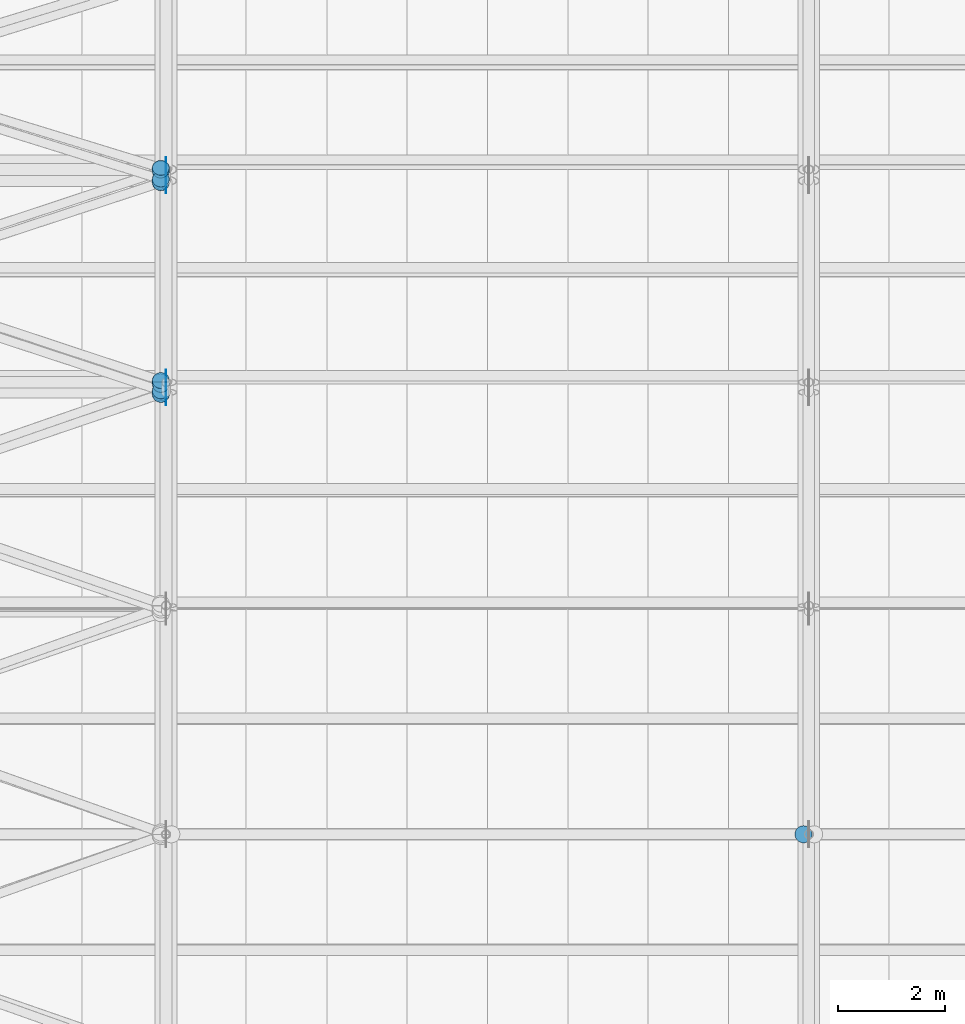
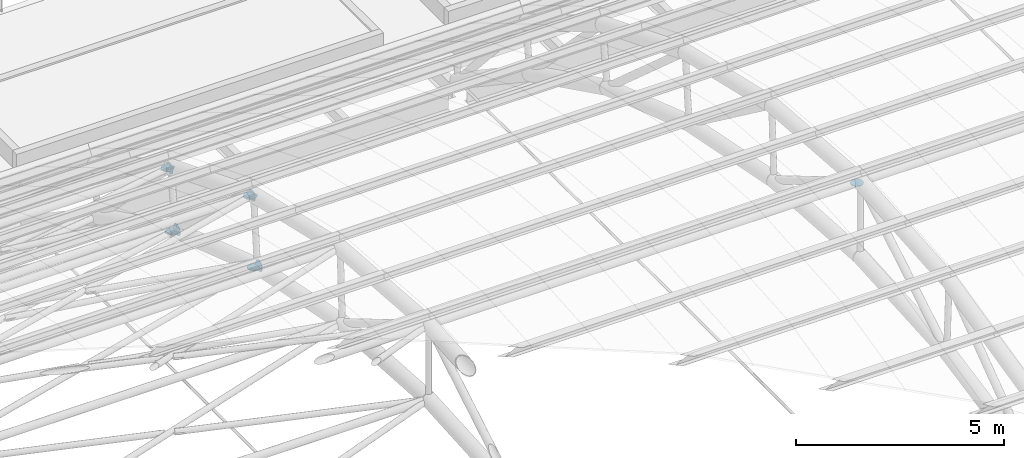
# One storey, part 90 of 110: 17 discrete accessories.
"""IFC4 building model written with IfcOpenShell, lengths in metres."""

from ifc_helpers import new_model, si_unit, direction, frame, origin, origin_2d, place, context, subcontext, project, spatial, circle, extrude, material, layer, layer_set, type_object, element, save


model = new_model("IFC4")

# Units and contexts
model_context = context("Model", 3, precision=1e-05, world=origin(), true_north=direction((0.0, 1.0)))
body_context = subcontext(model_context, "Body", "Model", "MODEL_VIEW")
ifc_project = project(units=[si_unit("LENGTHUNIT", "METRE"), si_unit("AREAUNIT", "SQUARE_METRE"), si_unit("VOLUMEUNIT", "CUBIC_METRE"), si_unit("PLANEANGLEUNIT", "RADIAN"), si_unit("MASSUNIT", "GRAM", prefix="KILO")], contexts=[model_context])

# Site, building, storey
site_placement = place(None, origin())
site = spatial("IfcSite", under=ifc_project, at=site_placement, CompositionType="ELEMENT")
building_placement = place(site_placement, origin())
building = spatial("IfcBuilding", under=site, at=building_placement, Name="Windward Yard Aquatics Centre", CompositionType="ELEMENT")
storey_placement = place(building_placement, frame((0.0, 0.0, 22.60009765625)))
storey = spatial("IfcBuildingStorey", under=building, at=storey_placement, Name="L05", CompositionType="ELEMENT", Elevation=22.60009765625)

# Discrete accessories
ifc_material = material(Name="Steel S355", Category="steel")
ifc_layer = layer(ifc_material, 0.011962890625)
ifc_layer_set = layer_set([ifc_layer], Name="Gusset plate 320 mm disc 12 mm")
discrete_accessory_type = type_object("IfcDiscreteAccessoryType", Name="Gusset plate 320 mm disc 12 mm", PredefinedType="USERDEFINED", material=ifc_layer_set)
for number, where, z_axis, x_axis, name in (
    (1, (71.993896484375, 69.16943359375, 5.568603515625), (1.0, 0.0, 0.0), (0.0, 1.0, 0.0), "Gusset plate"),
    (2, (71.993896484375, 69.51220703125, 7.4306640625), (1.0, 0.0, 0.0), (0.0, 1.0, 0.0), "Gusset plate"),
    (3, (71.993896484375, 73.122314453125, 4.23291015625), (1.0, 0.0, 0.0), (0.0, 1.0, 0.0), "Gusset plate"),
    (4, (71.993896484375, 73.479736328125, 5.8291015625), (1.0, 0.0, 0.0), (0.0, 1.0, 0.0), "Gusset plate"),
    (5, (71.89990234375, 69.4375, 7.49072265625), (0.0, 0.0, 1.0), (1.0, 0.0, 0.0), "Gusset plate"),
):
    element("IfcDiscreteAccessory", number, at=place(storey_placement, frame(where, z_axis=z_axis, x_axis=x_axis)), inside=storey, type_object=discrete_accessory_type, Name=name, ObjectType="GUSSET PLATE", PredefinedType="USERDEFINED", context=body_context, shape_type="SweptSolid", body=[
        extrude(circle(Radius=0.159912109375, at=origin_2d()), origin(), (0.0, 0.0, 1.0), 0.01220703125),
    ])
for number, where, z_axis, x_axis, name in (
    (6, (71.89990234375, 73.40966796875, 5.89453125), (0.0, 0.0, 1.0), (1.0, 0.0, 0.0), "Gusset plate"),
    (7, (71.90576171875, 69.406005859375, 7.51025390625), (0.0, -0.223376156329, -0.974732318528), (1.0, 0.0, 0.0), "Gusset plate"),
):
    element("IfcDiscreteAccessory", number, at=place(storey_placement, frame(where, z_axis=z_axis, x_axis=x_axis)), inside=storey, type_object=discrete_accessory_type, Name=name, ObjectType="GUSSET PLATE", PredefinedType="USERDEFINED", context=body_context, shape_type="SweptSolid", body=[
        extrude(circle(Radius=0.159912109375, at=origin_2d()), origin(), (0.0, 0.0, 1.0), 0.011962890625),
    ])
discrete_accessory_1_placement = place(storey_placement, frame((71.90576171875, 73.380615234375, 5.91845703125), z_axis=(0.0, -0.371390676354, -0.928476690885), x_axis=(1.0, 0.0, 0.0)))
element("IfcDiscreteAccessory", 8, at=discrete_accessory_1_placement, inside=storey, type_object=discrete_accessory_type, Name="Gusset plate", ObjectType="GUSSET PLATE", PredefinedType="USERDEFINED", context=body_context, shape_type="SweptSolid", body=[
    extrude(circle(Radius=0.159912109375, at=origin_2d()), origin(), (0.0, 0.0, 1.0), 0.01171875),
])
discrete_accessory_2_placement = place(storey_placement, frame((71.90576171875, 69.470947265625, 7.489990234375), z_axis=(0.0, -0.38176015442, -0.92426142649), x_axis=(1.0, 0.0, 0.0)))
element("IfcDiscreteAccessory", 9, at=discrete_accessory_2_placement, inside=storey, type_object=discrete_accessory_type, Name="Gusset plate", ObjectType="GUSSET PLATE", PredefinedType="USERDEFINED", context=body_context, shape_type="SweptSolid", body=[
    extrude(circle(Radius=0.159912109375, at=origin_2d()), origin(), (0.0, 0.0, 1.0), 0.01220703125),
])
for number, where, z_axis, x_axis, name in (
    (10, (71.90576171875, 73.441650390625, 5.888427734375), (0.0, -0.511483859768, -0.85929288441), (1.0, 0.0, 0.0), "Gusset plate"),
    (11, (71.89990234375, 69.249755859375, 5.5029296875), (0.0, 0.0, 1.0), (1.0, 0.0, 0.0), "Gusset plate"),
):
    element("IfcDiscreteAccessory", number, at=place(storey_placement, frame(where, z_axis=z_axis, x_axis=x_axis)), inside=storey, type_object=discrete_accessory_type, Name=name, ObjectType="GUSSET PLATE", PredefinedType="USERDEFINED", context=body_context, shape_type="SweptSolid", body=[
        extrude(circle(Radius=0.159912109375, at=origin_2d()), origin(), (0.0, 0.0, 1.0), 0.011962890625),
    ])
for number, where, z_axis, x_axis, name in (
    (12, (71.89990234375, 73.197265625, 4.160400390625), (0.0, 0.0, 1.0), (1.0, 0.0, 0.0), "Gusset plate"),
    (13, (71.905517578125, 69.21875, 5.521240234375), (0.0, -0.199960011996, -0.97980405878), (1.0, 0.0, 0.0), "Gusset plate"),
):
    element("IfcDiscreteAccessory", number, at=place(storey_placement, frame(where, z_axis=z_axis, x_axis=x_axis)), inside=storey, type_object=discrete_accessory_type, Name=name, ObjectType="GUSSET PLATE", PredefinedType="USERDEFINED", context=body_context, shape_type="SweptSolid", body=[
        extrude(circle(Radius=0.159912109375, at=origin_2d()), origin(), (0.0, 0.0, 1.0), 0.01220703125),
    ])
for number, where, z_axis, x_axis, name in (
    (14, (71.905517578125, 73.16796875, 4.182861328125), (0.0, -0.304040173793, -0.952659211219), (1.0, 0.0, 0.0), "Gusset plate"),
    (15, (71.905517578125, 69.28271484375, 5.50390625), (0.0, -0.328520624941, -0.944496796706), (1.0, 0.0, 0.0), "Gusset plate"),
):
    element("IfcDiscreteAccessory", number, at=place(storey_placement, frame(where, z_axis=z_axis, x_axis=x_axis)), inside=storey, type_object=discrete_accessory_type, Name=name, ObjectType="GUSSET PLATE", PredefinedType="USERDEFINED", context=body_context, shape_type="SweptSolid", body=[
        extrude(circle(Radius=0.159912109375, at=origin_2d()), origin(), (0.0, 0.0, 1.0), 0.011962890625),
    ])
discrete_accessory_3_placement = place(storey_placement, frame((71.905517578125, 73.229248046875, 4.157470703125), z_axis=(0.0, -0.439210132005, -0.898384360919), x_axis=(1.0, 0.0, 0.0)))
element("IfcDiscreteAccessory", 16, at=discrete_accessory_3_placement, inside=storey, type_object=discrete_accessory_type, Name="Gusset plate", ObjectType="GUSSET PLATE", PredefinedType="USERDEFINED", context=body_context, shape_type="SweptSolid", body=[
    extrude(circle(Radius=0.159912109375, at=origin_2d()), origin(), (0.0, 0.0, 1.0), 0.01220703125),
])
discrete_accessory_4_placement = place(storey_placement, frame((83.89990234375, 61.0, 8.790771484375), z_axis=(0.0, 0.0, 1.0), x_axis=(1.0, 0.0, 0.0)))
element("IfcDiscreteAccessory", 17, at=discrete_accessory_4_placement, inside=storey, type_object=discrete_accessory_type, Name="Gusset plate", ObjectType="GUSSET PLATE", PredefinedType="USERDEFINED", context=body_context, shape_type="SweptSolid", body=[
    extrude(circle(Radius=0.159912109375, at=origin_2d()), origin(), (0.0, 0.0, 1.0), 0.011962890625),
])

save(model, "model.ifc")
